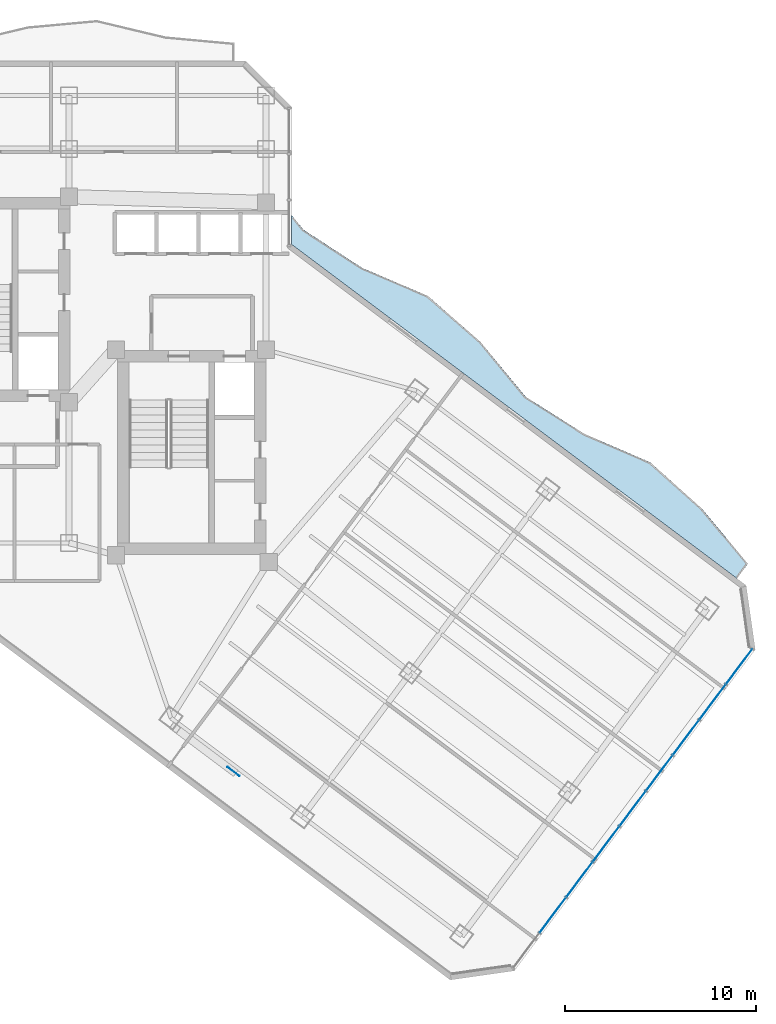
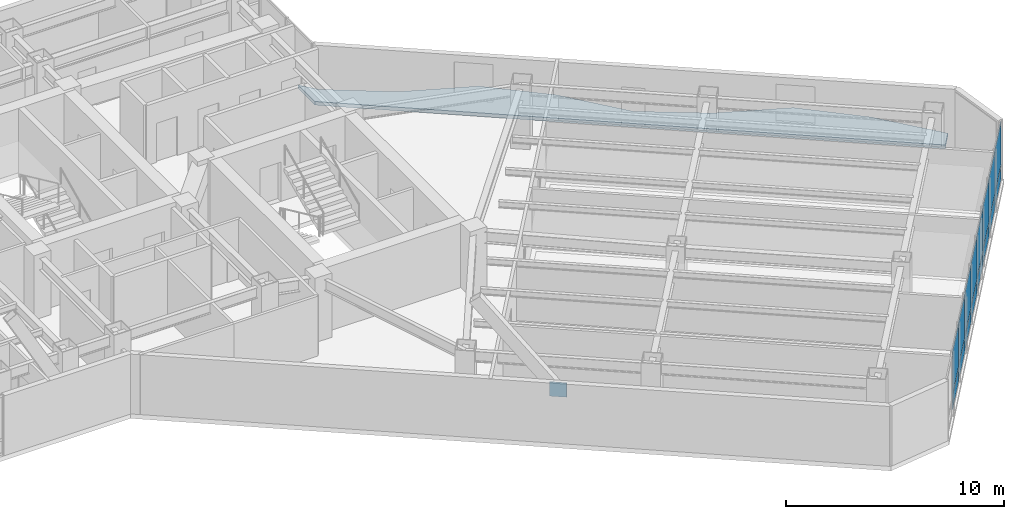
# One storey, part 22 of 31: 17 plates, 1 slab, 1 element without a shape of its own.
"""IFC4 building model written with IfcOpenShell, lengths in metres."""

from ifc_helpers import new_model, si_unit, direction, frame, origin, origin_2d, place, context, subcontext, project, spatial, polyline, rectangle, outline, extrude, material, layer, layer_set, type_object, element, aggregate, save


model = new_model("IFC4")

# Units and contexts
model_context = context("Model", 3, precision=1e-05, world=origin(), true_north=direction((0.0, 1.0)))
body_context = subcontext(model_context, "Body", "Model", "MODEL_VIEW")
ifc_project = project(units=[si_unit("LENGTHUNIT", "METRE"), si_unit("AREAUNIT", "SQUARE_METRE"), si_unit("VOLUMEUNIT", "CUBIC_METRE"), si_unit("PLANEANGLEUNIT", "RADIAN"), si_unit("MASSUNIT", "GRAM", prefix="KILO")], contexts=[model_context])

# Site, building, storey
site_placement = place(None, origin())
site = spatial("IfcSite", under=ifc_project, at=site_placement, CompositionType="ELEMENT")
building_placement = place(site_placement, origin())
building = spatial("IfcBuilding", under=site, at=building_placement, Name="Hatsunagi Terrace Concourse", CompositionType="ELEMENT")
storey_placement = place(building_placement, frame((0.0, 0.0, 112.050048828125)))
storey = spatial("IfcBuildingStorey", under=building, at=storey_placement, Name="L29", CompositionType="ELEMENT", Elevation=112.050048828125)

# Curtain wall, plates
ifc_material_1 = material(Name="Anodised Aluminium Alloy 6063-T5", Category="aluminium")
ifc_layer_1 = layer(ifc_material_1, 0.199951171875)
ifc_layer_set_1 = layer_set([ifc_layer_1], Name="OfficeZone1_CW03")
curtain_wall_type = type_object("IfcCurtainWallType", Name="OfficeZone1_CW03", PredefinedType="NOTDEFINED", material=ifc_layer_set_1)
curtain_wall_placement = place(storey_placement, origin())
curtain_wall = element("IfcCurtainWall", 1, at=curtain_wall_placement, inside=storey, type_object=curtain_wall_type, Name="Unitised Curtain Wall CW-03 CW-L29-03", PredefinedType="NOTDEFINED")
ifc_material_2 = material(Name="Warm Terracotta Ceramic Spandrel Panel", Category="masonry")
ifc_layer_2 = layer(ifc_material_2, 0.031982421875)
ifc_layer_set_2 = layer_set([ifc_layer_2], Name="CurtainWallSpandrelPanel_32")
plate_type_1 = type_object("IfcPlateType", Name="CurtainWallSpandrelPanel_32", PredefinedType="SHEET", material=ifc_layer_set_2)
plate_1_placement = place(storey_placement, frame((68.39697265625, 18.72998046875, 0.030029296875), z_axis=(0.0, 0.0, 1.0), x_axis=(-0.599969314634, -0.800023013105, 0.0)))
plate_1 = element("IfcPlate", 2, at=plate_1_placement, type_object=plate_type_1, Name="Terracotta Spandrel Panel SPN-01", PredefinedType="SHEET", context=body_context, shape_type="SweptSolid", body=[
    extrude(rectangle(XDim=2.264892578125, YDim=0.031982421875, at=origin_2d()), origin(), (0.0, 0.0, 1.0), 0.7900390625),
])
plate_2_placement = place(storey_placement, frame((67.0048828125, 16.873046875, 0.030029296875), z_axis=(0.0, 0.0, 1.0), x_axis=(-0.599969314634, -0.800023013105, 0.0)))
plate_2 = element("IfcPlate", 3, at=plate_2_placement, type_object=plate_type_1, Name="Terracotta Spandrel Panel SPN-01", PredefinedType="SHEET", context=body_context, shape_type="SweptSolid", body=[
    extrude(rectangle(XDim=2.264892578125, YDim=0.031982421875, at=origin_2d()), origin(), (0.0, 0.0, 1.0), 0.7900390625),
])
plate_3_placement = place(storey_placement, frame((65.612060546875, 15.01708984375, 0.030029296875), z_axis=(0.0, 0.0, 1.0), x_axis=(-0.599969314634, -0.800023013105, 0.0)))
plate_3 = element("IfcPlate", 4, at=plate_3_placement, type_object=plate_type_1, Name="Terracotta Spandrel Panel SPN-01", PredefinedType="SHEET", context=body_context, shape_type="SweptSolid", body=[
    extrude(rectangle(XDim=2.264892578125, YDim=0.031982421875, at=origin_2d()), origin(), (0.0, 0.0, 1.0), 0.7900390625),
])
plate_4_placement = place(storey_placement, frame((64.219970703125, 13.159912109375, 0.030029296875), z_axis=(0.0, 0.0, 1.0), x_axis=(-0.599969314634, -0.800023013105, 0.0)))
plate_4 = element("IfcPlate", 5, at=plate_4_placement, type_object=plate_type_1, Name="Terracotta Spandrel Panel SPN-01", PredefinedType="SHEET", context=body_context, shape_type="SweptSolid", body=[
    extrude(rectangle(XDim=2.264892578125, YDim=0.031982421875, at=origin_2d()), origin(), (0.0, 0.0, 1.0), 0.7900390625),
])
plate_5_placement = place(storey_placement, frame((62.827880859375, 11.303955078125, 0.030029296875), z_axis=(0.0, 0.0, 1.0), x_axis=(-0.599969314634, -0.800023013105, 0.0)))
plate_5 = element("IfcPlate", 6, at=plate_5_placement, type_object=plate_type_1, Name="Terracotta Spandrel Panel SPN-01", PredefinedType="SHEET", context=body_context, shape_type="SweptSolid", body=[
    extrude(rectangle(XDim=2.264892578125, YDim=0.031982421875, at=origin_2d()), origin(), (0.0, 0.0, 1.0), 0.7900390625),
])
plate_6_placement = place(storey_placement, frame((61.43603515625, 9.447998046875, 0.030029296875), z_axis=(0.0, 0.0, 1.0), x_axis=(-0.599969314634, -0.800023013105, 0.0)))
plate_6 = element("IfcPlate", 7, at=plate_6_placement, type_object=plate_type_1, Name="Terracotta Spandrel Panel SPN-01", PredefinedType="SHEET", context=body_context, shape_type="SweptSolid", body=[
    extrude(rectangle(XDim=2.264892578125, YDim=0.031982421875, at=origin_2d()), origin(), (0.0, 0.0, 1.0), 0.7900390625),
])
plate_7_placement = place(storey_placement, frame((60.0439453125, 7.591064453125, 0.030029296875), z_axis=(0.0, 0.0, 1.0), x_axis=(-0.599969314634, -0.800023013105, 0.0)))
plate_7 = element("IfcPlate", 8, at=plate_7_placement, type_object=plate_type_1, Name="Terracotta Spandrel Panel SPN-01", PredefinedType="SHEET", context=body_context, shape_type="SweptSolid", body=[
    extrude(rectangle(XDim=2.264892578125, YDim=0.031982421875, at=origin_2d()), origin(), (0.0, 0.0, 1.0), 0.7900390625),
])
plate_8_placement = place(storey_placement, frame((58.65087890625, 5.735107421875, 0.030029296875), z_axis=(0.0, 0.0, 1.0), x_axis=(-0.599969314634, -0.800023013105, 0.0)))
plate_8 = element("IfcPlate", 9, at=plate_8_placement, type_object=plate_type_1, Name="Terracotta Spandrel Panel SPN-01", PredefinedType="SHEET", context=body_context, shape_type="SweptSolid", body=[
    extrude(rectangle(XDim=2.264892578125, YDim=0.031982421875, at=origin_2d()), origin(), (0.0, 0.0, 1.0), 0.7900390625),
])
ifc_material_3 = material(Name="Low-E Double Insulating Glass 28mm", Category="glass")
ifc_layer_3 = layer(ifc_material_3, 0.028076171875)
ifc_layer_set_3 = layer_set([ifc_layer_3], Name="CurtainWallVisionGlass_28")
plate_type_2 = type_object("IfcPlateType", Name="CurtainWallVisionGlass_28", PredefinedType="CURTAIN_PANEL", material=ifc_layer_set_3)
plate_9_placement = place(storey_placement, frame((68.39697265625, 18.72998046875, 0.8798828125), z_axis=(0.0, 0.0, 1.0), x_axis=(-0.599969314634, -0.800023013105, 0.0)))
plate_9 = element("IfcPlate", 10, at=plate_9_placement, type_object=plate_type_2, Name="Low-E Vision Glass Panel GLZ-01", PredefinedType="CURTAIN_PANEL", context=body_context, shape_type="SweptSolid", body=[
    extrude(rectangle(XDim=2.264892578125, YDim=0.028076171875, at=origin_2d()), origin(), (0.0, 0.0, 1.0), 2.43994140625),
])
plate_10_placement = place(storey_placement, frame((67.0048828125, 16.873046875, 0.8798828125), z_axis=(0.0, 0.0, 1.0), x_axis=(-0.599969314634, -0.800023013105, 0.0)))
plate_10 = element("IfcPlate", 11, at=plate_10_placement, type_object=plate_type_2, Name="Low-E Vision Glass Panel GLZ-01", PredefinedType="CURTAIN_PANEL", context=body_context, shape_type="SweptSolid", body=[
    extrude(rectangle(XDim=2.264892578125, YDim=0.028076171875, at=origin_2d()), origin(), (0.0, 0.0, 1.0), 2.43994140625),
])
plate_11_placement = place(storey_placement, frame((65.612060546875, 15.01708984375, 0.8798828125), z_axis=(0.0, 0.0, 1.0), x_axis=(-0.599969314634, -0.800023013105, 0.0)))
plate_11 = element("IfcPlate", 12, at=plate_11_placement, type_object=plate_type_2, Name="Low-E Vision Glass Panel GLZ-01", PredefinedType="CURTAIN_PANEL", context=body_context, shape_type="SweptSolid", body=[
    extrude(rectangle(XDim=2.264892578125, YDim=0.028076171875, at=origin_2d()), origin(), (0.0, 0.0, 1.0), 2.43994140625),
])
plate_12_placement = place(storey_placement, frame((64.219970703125, 13.159912109375, 0.8798828125), z_axis=(0.0, 0.0, 1.0), x_axis=(-0.599969314634, -0.800023013105, 0.0)))
plate_12 = element("IfcPlate", 13, at=plate_12_placement, type_object=plate_type_2, Name="Low-E Vision Glass Panel GLZ-01", PredefinedType="CURTAIN_PANEL", context=body_context, shape_type="SweptSolid", body=[
    extrude(rectangle(XDim=2.264892578125, YDim=0.028076171875, at=origin_2d()), origin(), (0.0, 0.0, 1.0), 2.43994140625),
])
plate_13_placement = place(storey_placement, frame((62.827880859375, 11.303955078125, 0.8798828125), z_axis=(0.0, 0.0, 1.0), x_axis=(-0.599969314634, -0.800023013105, 0.0)))
plate_13 = element("IfcPlate", 14, at=plate_13_placement, type_object=plate_type_2, Name="Low-E Vision Glass Panel GLZ-01", PredefinedType="CURTAIN_PANEL", context=body_context, shape_type="SweptSolid", body=[
    extrude(rectangle(XDim=2.264892578125, YDim=0.028076171875, at=origin_2d()), origin(), (0.0, 0.0, 1.0), 2.43994140625),
])
plate_14_placement = place(storey_placement, frame((61.43603515625, 9.447998046875, 0.8798828125), z_axis=(0.0, 0.0, 1.0), x_axis=(-0.599969314634, -0.800023013105, 0.0)))
plate_14 = element("IfcPlate", 15, at=plate_14_placement, type_object=plate_type_2, Name="Low-E Vision Glass Panel GLZ-01", PredefinedType="CURTAIN_PANEL", context=body_context, shape_type="SweptSolid", body=[
    extrude(rectangle(XDim=2.264892578125, YDim=0.028076171875, at=origin_2d()), origin(), (0.0, 0.0, 1.0), 2.43994140625),
])
plate_15_placement = place(storey_placement, frame((60.0439453125, 7.591064453125, 0.8798828125), z_axis=(0.0, 0.0, 1.0), x_axis=(-0.599969314634, -0.800023013105, 0.0)))
plate_15 = element("IfcPlate", 16, at=plate_15_placement, type_object=plate_type_2, Name="Low-E Vision Glass Panel GLZ-01", PredefinedType="CURTAIN_PANEL", context=body_context, shape_type="SweptSolid", body=[
    extrude(rectangle(XDim=2.264892578125, YDim=0.028076171875, at=origin_2d()), origin(), (0.0, 0.0, 1.0), 2.43994140625),
])
plate_16_placement = place(storey_placement, frame((58.65087890625, 5.735107421875, 0.8798828125), z_axis=(0.0, 0.0, 1.0), x_axis=(-0.599969314634, -0.800023013105, 0.0)))
plate_16 = element("IfcPlate", 17, at=plate_16_placement, type_object=plate_type_2, Name="Low-E Vision Glass Panel GLZ-01", PredefinedType="CURTAIN_PANEL", context=body_context, shape_type="SweptSolid", body=[
    extrude(rectangle(XDim=2.264892578125, YDim=0.028076171875, at=origin_2d()), origin(), (0.0, 0.0, 1.0), 2.43994140625),
])
aggregate(curtain_wall, [plate_1, plate_9, plate_2, plate_10, plate_3, plate_11, plate_4, plate_12, plate_5, plate_13, plate_6, plate_14, plate_7, plate_15, plate_8, plate_16])

# Slab
ifc_material_4 = material(Name="Concrete Fc42", Category="concrete")
ifc_layer_4 = layer(ifc_material_4, 0.199951171875)
ifc_layer_set_4 = layer_set([ifc_layer_4], Name="EngawaBalconySlab_Fc42_200")
slab_type = type_object("IfcSlabType", Name="EngawaBalconySlab_Fc42_200", PredefinedType="FLOOR", material=ifc_layer_set_4)
slab_placement = place(storey_placement, frame((0.0, 0.0, -0.199951171875)))
element("IfcSlab", 18, at=slab_placement, inside=storey, type_object=slab_type, Name="Engawa Balcony Slab BAL-L29-BSE", PredefinedType="FLOOR", context=body_context, shape_type="SweptSolid", body=[
    extrude(outline(polyline([(45.618896484375, 41.570068359375), (44.99609375, 42.33203125), (44.99609375, 40.802978515625), (68.280029296875, 23.340087890625), (68.85205078125, 24.10302734375), (66.464111328125, 26.97412109375), (63.75, 29.410888671875), (60.319091796875, 30.89208984375), (57.235107421875, 32.8359375), (54.85791015625, 35.720947265625), (52.113037109375, 38.116943359375), (48.672119140625, 39.5849609375), (45.618896484375, 41.570068359375)])), origin(), (0.0, 0.0, 1.0), 0.199951171875),
])

# Plate
ifc_material_5 = material(Name="Steel SN490C", Category="steel")
ifc_layer_5 = layer(ifc_material_5, 0.031982421875)
ifc_layer_set_5 = layer_set([ifc_layer_5], Name="XBraceNodeCapPlate_32")
plate_type_3 = type_object("IfcPlateType", Name="XBraceNodeCapPlate_32", PredefinedType="USERDEFINED", material=ifc_layer_set_5)
plate_17_placement = place(storey_placement, frame((41.951904296875, 13.236083984375, 1.27490234375), z_axis=(0.0, 0.0, 1.0), x_axis=(0.799999996291, -0.600000004945, 0.0)))
element("IfcPlate", 19, at=plate_17_placement, inside=storey, type_object=plate_type_3, Name="X-Brace Crossing Gusset Node Plate GP-02 XB-L28-SE", ObjectType="GUSSET_PLATE", PredefinedType="USERDEFINED", context=body_context, shape_type="SweptSolid", body=[
    extrude(rectangle(XDim=0.800048828125, YDim=0.031982421875, at=origin_2d()), origin(), (0.0, 0.0, 1.0), 0.800048828125),
])

save(model, "model.ifc")
